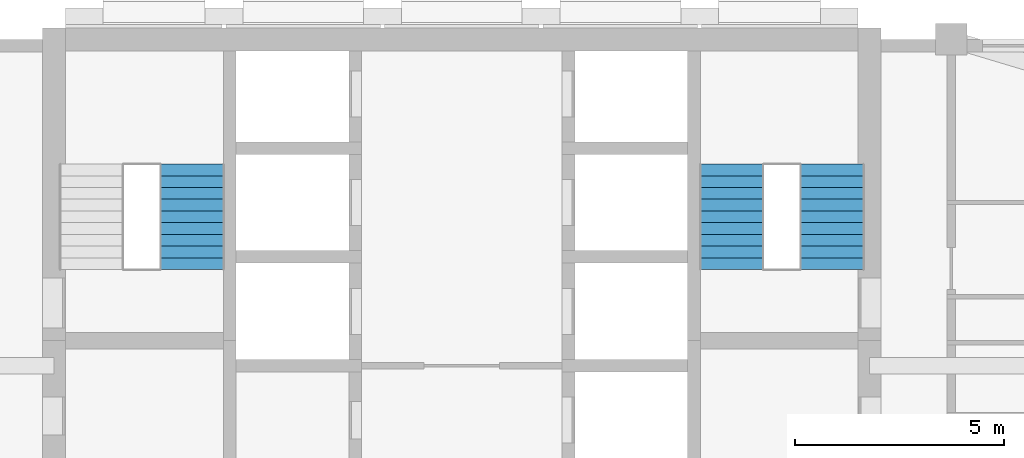
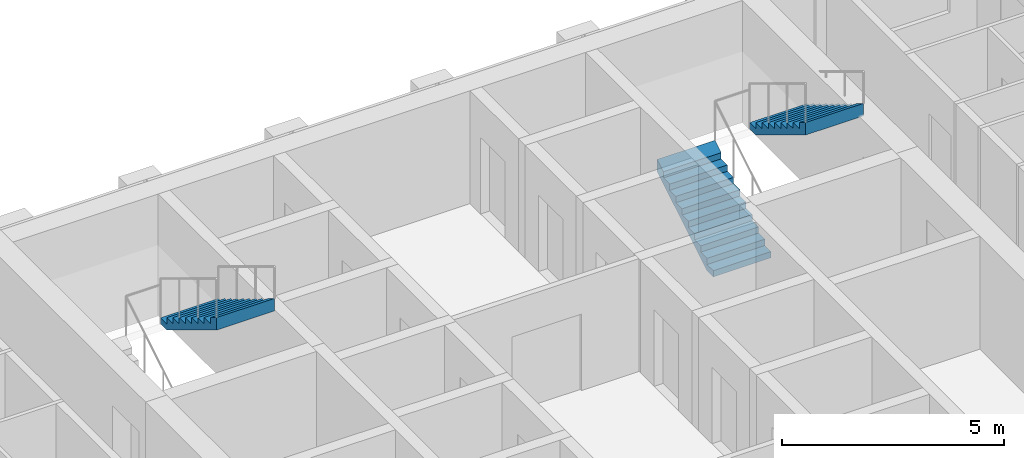
# One storey, part 11 of 13: 3 stair flights, 2 elements without a shape of their own.
"""IFC4 building model written with IfcOpenShell, lengths in metres."""

from ifc_helpers import new_model, si_unit, direction, frame, origin, place, context, subcontext, project, spatial, triangles, material, type_object, element, aggregate, save


model = new_model("IFC4")

# Units and contexts
model_context = context("Model", 3, precision=1e-05, world=origin(), true_north=direction((0.0, 1.0)))
body_context = subcontext(model_context, "Body", "Model", "MODEL_VIEW")
ifc_project = project(units=[si_unit("LENGTHUNIT", "METRE"), si_unit("AREAUNIT", "SQUARE_METRE"), si_unit("VOLUMEUNIT", "CUBIC_METRE"), si_unit("PLANEANGLEUNIT", "RADIAN"), si_unit("MASSUNIT", "GRAM", prefix="KILO")], contexts=[model_context])

# Site, building, storey
site_placement = place(None, origin())
site = spatial("IfcSite", under=ifc_project, at=site_placement, CompositionType="ELEMENT")
building_placement = place(site_placement, origin())
building = spatial("IfcBuilding", under=site, at=building_placement, Name="Ludao Terraces", CompositionType="ELEMENT")
storey_placement = place(building_placement, frame((0.0, 0.0, 189.39990234375)))
storey = spatial("IfcBuildingStorey", under=building, at=storey_placement, Name="L51", CompositionType="ELEMENT", Elevation=189.39990234375)

# Stair, stair flight
ifc_material = material(Name="Concrete C40", Category="concrete")
stair_type = type_object("IfcStairType", Name="INT Stair", PredefinedType="HALF_TURN_STAIR", material=ifc_material)
stair_1_placement = place(storey_placement, origin())
stair_1 = element("IfcStair", 1, at=stair_1_placement, inside=storey, type_object=stair_type, Name="EXIT STAIR 1", PredefinedType="HALF_TURN_STAIR")
stair_flight_type = type_object("IfcStairFlightType", Name="INT Stair flight", PredefinedType="STRAIGHT", material=ifc_material)
stair_flight_1_placement = place(storey_placement, frame((78.550048828125, 81.52001953125, 1.7001953125), z_axis=(0.0, 0.0, 1.0), x_axis=(0.0, -1.0, 0.0)))
stair_flight_1 = element("IfcStairFlight", 2, at=stair_flight_1_placement, type_object=stair_flight_type, Name="ST1 flight 2", NumberOfRisers=10, NumberOfTreads=9, PredefinedType="STRAIGHT", RiserHeight=0.17, TreadLength=0.28, context=body_context, shape_type="Tessellation", body=[
    triangles([(0.0, -0.75, 0.0), (0.0, -0.5, 0.0), (0.0, -0.25, 0.0), (0.0, 0.0, 0.0), (0.0, 0.25, 0.0), (0.0, 0.5, 0.0), (0.0, 0.75, 0.0), (0.0, -0.75, 0.169921875), (0.0, -0.5, 0.169921875), (0.0, -0.25, 0.169921875), (0.0, 0.0, 0.169921875), (0.0, 0.25, 0.169921875), (0.0, 0.5, 0.169921875), (0.0, 0.75, 0.169921875), (0.280029296875, -0.75, 0.169921875), (0.280029296875, -0.5, 0.169921875), (0.280029296875, -0.25, 0.169921875), (0.280029296875, 0.0, 0.169921875), (0.280029296875, 0.25, 0.169921875), (0.280029296875, 0.5, 0.169921875), (0.280029296875, 0.75, 0.169921875), (0.280029296875, -0.75, 0.340087890625), (0.280029296875, -0.5, 0.340087890625), (0.280029296875, -0.25, 0.340087890625), (0.280029296875, 0.0, 0.340087890625), (0.280029296875, 0.25, 0.340087890625), (0.280029296875, 0.5, 0.340087890625), (0.280029296875, 0.75, 0.340087890625), (0.56005859375, -0.75, 0.340087890625), (0.56005859375, -0.5, 0.340087890625), (0.56005859375, -0.25, 0.340087890625), (0.56005859375, 0.0, 0.340087890625), (0.56005859375, 0.25, 0.340087890625), (0.56005859375, 0.5, 0.340087890625), (0.56005859375, 0.75, 0.340087890625), (0.56005859375, -0.75, 0.510009765625), (0.56005859375, -0.5, 0.510009765625), (0.56005859375, -0.25, 0.510009765625), (0.56005859375, 0.0, 0.510009765625), (0.56005859375, 0.25, 0.510009765625), (0.56005859375, 0.5, 0.510009765625), (0.56005859375, 0.75, 0.510009765625), (0.840087890625, -0.75, 0.510009765625), (0.840087890625, -0.5, 0.510009765625), (0.840087890625, -0.25, 0.510009765625), (0.840087890625, 0.0, 0.510009765625), (0.840087890625, 0.25, 0.510009765625), (0.840087890625, 0.5, 0.510009765625), (0.840087890625, 0.75, 0.510009765625), (0.840087890625, -0.75, 0.679931640625), (0.840087890625, -0.5, 0.679931640625), (0.840087890625, -0.25, 0.679931640625), (0.840087890625, 0.0, 0.679931640625), (0.840087890625, 0.25, 0.679931640625), (0.840087890625, 0.5, 0.679931640625), (0.840087890625, 0.75, 0.679931640625), (1.1201171875, -0.75, 0.679931640625), (1.1201171875, -0.5, 0.679931640625), (1.1201171875, -0.25, 0.679931640625), (1.1201171875, 0.0, 0.679931640625), (1.1201171875, 0.25, 0.679931640625), (1.1201171875, 0.5, 0.679931640625), (1.1201171875, 0.75, 0.679931640625), (1.1201171875, -0.75, 0.85009765625), (1.1201171875, -0.5, 0.85009765625), (1.1201171875, -0.25, 0.85009765625), (1.1201171875, 0.0, 0.85009765625), (1.1201171875, 0.25, 0.85009765625), (1.1201171875, 0.5, 0.85009765625), (1.1201171875, 0.75, 0.85009765625), (1.39990234375, -0.75, 0.85009765625), (1.39990234375, -0.5, 0.85009765625), (1.39990234375, -0.25, 0.85009765625), (1.39990234375, 0.0, 0.85009765625), (1.39990234375, 0.25, 0.85009765625), (1.39990234375, 0.5, 0.85009765625), (1.39990234375, 0.75, 0.85009765625), (1.39990234375, -0.75, 1.02001953125), (1.39990234375, -0.5, 1.02001953125), (1.39990234375, -0.25, 1.02001953125), (1.39990234375, 0.0, 1.02001953125), (1.39990234375, 0.25, 1.02001953125), (1.39990234375, 0.5, 1.02001953125), (1.39990234375, 0.75, 1.02001953125), (1.679931640625, -0.75, 1.02001953125), (1.679931640625, -0.5, 1.02001953125), (1.679931640625, -0.25, 1.02001953125), (1.679931640625, 0.0, 1.02001953125), (1.679931640625, 0.25, 1.02001953125), (1.679931640625, 0.5, 1.02001953125), (1.679931640625, 0.75, 1.02001953125), (1.679931640625, -0.75, 1.18994140625), (1.679931640625, -0.5, 1.18994140625), (1.679931640625, -0.25, 1.18994140625), (1.679931640625, 0.0, 1.18994140625), (1.679931640625, 0.25, 1.18994140625), (1.679931640625, 0.5, 1.18994140625), (1.679931640625, 0.75, 1.18994140625), (1.9599609375, -0.75, 1.18994140625), (1.9599609375, -0.5, 1.18994140625), (1.9599609375, -0.25, 1.18994140625), (1.9599609375, 0.0, 1.18994140625), (1.9599609375, 0.25, 1.18994140625), (1.9599609375, 0.5, 1.18994140625), (1.9599609375, 0.75, 1.18994140625), (1.9599609375, -0.75, 1.360107421875), (1.9599609375, -0.5, 1.360107421875), (1.9599609375, -0.25, 1.360107421875), (1.9599609375, 0.0, 1.360107421875), (1.9599609375, 0.25, 1.360107421875), (1.9599609375, 0.5, 1.360107421875), (1.9599609375, 0.75, 1.360107421875), (2.239990234375, -0.75, 1.360107421875), (2.239990234375, -0.5, 1.360107421875), (2.239990234375, -0.25, 1.360107421875), (2.239990234375, 0.0, 1.360107421875), (2.239990234375, 0.25, 1.360107421875), (2.239990234375, 0.5, 1.360107421875), (2.239990234375, 0.75, 1.360107421875), (2.239990234375, -0.75, 1.530029296875), (2.239990234375, -0.5, 1.530029296875), (2.239990234375, -0.25, 1.530029296875), (2.239990234375, 0.0, 1.530029296875), (2.239990234375, 0.25, 1.530029296875), (2.239990234375, 0.5, 1.530029296875), (2.239990234375, 0.75, 1.530029296875), (2.52001953125, -0.75, 1.699951171875), (2.52001953125, -0.5, 1.699951171875), (2.52001953125, -0.25, 1.699951171875), (2.52001953125, 0.0, 1.699951171875), (2.52001953125, 0.25, 1.699951171875), (2.52001953125, 0.5, 1.699951171875), (2.52001953125, 0.75, 1.699951171875), (2.52001953125, -0.75, 1.354736328125), (2.52001953125, -0.5, 1.354736328125), (2.52001953125, -0.25, 1.354736328125), (2.52001953125, 0.0, 1.354736328125), (2.52001953125, 0.25, 1.354736328125), (2.52001953125, 0.5, 1.354736328125), (2.52001953125, 0.75, 1.354736328125), (0.288818359375, -0.75, 0.0), (0.288818359375, -0.5, 0.0), (0.288818359375, -0.25, 0.0), (0.288818359375, 0.0, 0.0), (0.288818359375, 0.25, 0.0), (0.288818359375, 0.5, 0.0), (0.288818359375, 0.75, 0.0)], [[1, 141, 134], [7, 140, 147], [134, 127, 120], [140, 126, 133], [134, 120, 113], [140, 119, 126], [134, 113, 106], [140, 112, 119], [134, 106, 99], [140, 105, 112], [99, 92, 85], [105, 91, 98], [134, 99, 85], [140, 91, 105], [85, 78, 71], [91, 77, 84], [134, 85, 71], [140, 77, 91], [71, 64, 57], [77, 63, 70], [134, 71, 57], [140, 63, 77], [57, 50, 43], [63, 49, 56], [134, 57, 43], [140, 49, 63], [43, 36, 29], [49, 35, 42], [134, 43, 29], [140, 35, 49], [29, 22, 15], [35, 21, 28], [134, 29, 15], [140, 21, 35], [1, 134, 15], [7, 21, 140], [15, 8, 1], [21, 7, 14], [1, 9, 2], [1, 8, 9], [2, 10, 3], [2, 9, 10], [3, 11, 4], [3, 10, 11], [4, 12, 5], [4, 11, 12], [5, 13, 6], [5, 12, 13], [6, 14, 7], [6, 13, 14], [8, 16, 9], [8, 15, 16], [9, 17, 10], [9, 16, 17], [10, 18, 11], [10, 17, 18], [11, 19, 12], [11, 18, 19], [12, 20, 13], [12, 19, 20], [13, 21, 14], [13, 20, 21], [15, 23, 16], [15, 22, 23], [16, 24, 17], [16, 23, 24], [17, 25, 18], [17, 24, 25], [18, 26, 19], [18, 25, 26], [19, 27, 20], [19, 26, 27], [20, 28, 21], [20, 27, 28], [22, 30, 23], [22, 29, 30], [23, 31, 24], [23, 30, 31], [24, 32, 25], [24, 31, 32], [25, 33, 26], [25, 32, 33], [26, 34, 27], [26, 33, 34], [27, 35, 28], [27, 34, 35], [29, 37, 30], [29, 36, 37], [30, 38, 31], [30, 37, 38], [31, 39, 32], [31, 38, 39], [32, 40, 33], [32, 39, 40], [33, 41, 34], [33, 40, 41], [34, 42, 35], [34, 41, 42], [36, 44, 37], [36, 43, 44], [37, 45, 38], [37, 44, 45], [38, 46, 39], [38, 45, 46], [39, 47, 40], [39, 46, 47], [40, 48, 41], [40, 47, 48], [41, 49, 42], [41, 48, 49], [43, 51, 44], [43, 50, 51], [44, 52, 45], [44, 51, 52], [45, 53, 46], [45, 52, 53], [46, 54, 47], [46, 53, 54], [47, 55, 48], [47, 54, 55], [48, 56, 49], [48, 55, 56], [50, 58, 51], [50, 57, 58], [51, 59, 52], [51, 58, 59], [52, 60, 53], [52, 59, 60], [53, 61, 54], [53, 60, 61], [54, 62, 55], [54, 61, 62], [55, 63, 56], [55, 62, 63], [57, 65, 58], [57, 64, 65], [58, 66, 59], [58, 65, 66], [59, 67, 60], [59, 66, 67], [60, 68, 61], [60, 67, 68], [61, 69, 62], [61, 68, 69], [62, 70, 63], [62, 69, 70], [64, 72, 65], [64, 71, 72], [65, 73, 66], [65, 72, 73], [66, 74, 67], [66, 73, 74], [67, 75, 68], [67, 74, 75], [68, 76, 69], [68, 75, 76], [69, 77, 70], [69, 76, 77], [71, 79, 72], [71, 78, 79], [72, 80, 73], [72, 79, 80], [73, 81, 74], [73, 80, 81], [74, 82, 75], [74, 81, 82], [75, 83, 76], [75, 82, 83], [76, 84, 77], [76, 83, 84], [78, 86, 79], [78, 85, 86], [79, 87, 80], [79, 86, 87], [80, 88, 81], [80, 87, 88], [81, 89, 82], [81, 88, 89], [82, 90, 83], [82, 89, 90], [83, 91, 84], [83, 90, 91], [85, 93, 86], [85, 92, 93], [86, 94, 87], [86, 93, 94], [87, 95, 88], [87, 94, 95], [88, 96, 89], [88, 95, 96], [89, 97, 90], [89, 96, 97], [90, 98, 91], [90, 97, 98], [92, 100, 93], [92, 99, 100], [93, 101, 94], [93, 100, 101], [94, 102, 95], [94, 101, 102], [95, 103, 96], [95, 102, 103], [96, 104, 97], [96, 103, 104], [97, 105, 98], [97, 104, 105], [99, 107, 100], [99, 106, 107], [100, 108, 101], [100, 107, 108], [101, 109, 102], [101, 108, 109], [102, 110, 103], [102, 109, 110], [103, 111, 104], [103, 110, 111], [104, 112, 105], [104, 111, 112], [106, 114, 107], [106, 113, 114], [107, 115, 108], [107, 114, 115], [108, 116, 109], [108, 115, 116], [109, 117, 110], [109, 116, 117], [110, 118, 111], [110, 117, 118], [111, 119, 112], [111, 118, 119], [113, 121, 114], [113, 120, 121], [114, 122, 115], [114, 121, 122], [115, 123, 116], [115, 122, 123], [116, 124, 117], [116, 123, 124], [117, 125, 118], [117, 124, 125], [118, 126, 119], [118, 125, 126], [120, 128, 121], [120, 127, 128], [121, 129, 122], [121, 128, 129], [122, 130, 123], [122, 129, 130], [123, 131, 124], [123, 130, 131], [124, 132, 125], [124, 131, 132], [125, 133, 126], [125, 132, 133], [127, 135, 128], [127, 134, 135], [128, 136, 129], [128, 135, 136], [129, 137, 130], [129, 136, 137], [130, 138, 131], [130, 137, 138], [131, 139, 132], [131, 138, 139], [132, 140, 133], [132, 139, 140], [134, 142, 135], [134, 141, 142], [135, 143, 136], [135, 142, 143], [136, 144, 137], [136, 143, 144], [137, 145, 138], [137, 144, 145], [138, 146, 139], [138, 145, 146], [139, 147, 140], [139, 146, 147], [141, 2, 142], [141, 1, 2], [142, 3, 143], [142, 2, 3], [143, 4, 144], [143, 3, 4], [144, 5, 145], [144, 4, 5], [145, 6, 146], [145, 5, 6], [146, 7, 147], [146, 6, 7]], closed=True),
])
aggregate(stair_1, [stair_flight_1])

# Stair, stair flights
stair_2_placement = place(storey_placement, origin())
stair_2 = element("IfcStair", 3, at=stair_2_placement, inside=storey, type_object=stair_type, Name="EXIT STAIR 2", PredefinedType="HALF_TURN_STAIR")
stair_flight_2_placement = place(storey_placement, frame((91.449951171875, 79.0, 0.0), z_axis=(0.0, 0.0, 1.0), x_axis=(0.0, 1.0, 0.0)))
stair_flight_2 = element("IfcStairFlight", 4, at=stair_flight_2_placement, type_object=stair_flight_type, Name="ST2 flight 1", NumberOfRisers=10, NumberOfTreads=9, PredefinedType="STRAIGHT", RiserHeight=0.17, TreadLength=0.28, context=body_context, shape_type="Tessellation", body=[
    triangles([(0.0, -0.75, 0.0), (0.0, -0.5, 0.0), (0.0, -0.25, 0.0), (0.0, 0.0, 0.0), (0.0, 0.25, 0.0), (0.0, 0.5, 0.0), (0.0, 0.75, 0.0), (0.0, -0.75, 0.169921875), (0.0, -0.5, 0.169921875), (0.0, -0.25, 0.169921875), (0.0, 0.0, 0.169921875), (0.0, 0.25, 0.169921875), (0.0, 0.5, 0.169921875), (0.0, 0.75, 0.169921875), (0.280029296875, -0.75, 0.169921875), (0.280029296875, -0.5, 0.169921875), (0.280029296875, -0.25, 0.169921875), (0.280029296875, 0.0, 0.169921875), (0.280029296875, 0.25, 0.169921875), (0.280029296875, 0.5, 0.169921875), (0.280029296875, 0.75, 0.169921875), (0.280029296875, -0.75, 0.340087890625), (0.280029296875, -0.5, 0.340087890625), (0.280029296875, -0.25, 0.340087890625), (0.280029296875, 0.0, 0.340087890625), (0.280029296875, 0.25, 0.340087890625), (0.280029296875, 0.5, 0.340087890625), (0.280029296875, 0.75, 0.340087890625), (0.56005859375, -0.75, 0.340087890625), (0.56005859375, -0.5, 0.340087890625), (0.56005859375, -0.25, 0.340087890625), (0.56005859375, 0.0, 0.340087890625), (0.56005859375, 0.25, 0.340087890625), (0.56005859375, 0.5, 0.340087890625), (0.56005859375, 0.75, 0.340087890625), (0.56005859375, -0.75, 0.510009765625), (0.56005859375, -0.5, 0.510009765625), (0.56005859375, -0.25, 0.510009765625), (0.56005859375, 0.0, 0.510009765625), (0.56005859375, 0.25, 0.510009765625), (0.56005859375, 0.5, 0.510009765625), (0.56005859375, 0.75, 0.510009765625), (0.840087890625, -0.75, 0.510009765625), (0.840087890625, -0.5, 0.510009765625), (0.840087890625, -0.25, 0.510009765625), (0.840087890625, 0.0, 0.510009765625), (0.840087890625, 0.25, 0.510009765625), (0.840087890625, 0.5, 0.510009765625), (0.840087890625, 0.75, 0.510009765625), (0.840087890625, -0.75, 0.679931640625), (0.840087890625, -0.5, 0.679931640625), (0.840087890625, -0.25, 0.679931640625), (0.840087890625, 0.0, 0.679931640625), (0.840087890625, 0.25, 0.679931640625), (0.840087890625, 0.5, 0.679931640625), (0.840087890625, 0.75, 0.679931640625), (1.1201171875, -0.75, 0.679931640625), (1.1201171875, -0.5, 0.679931640625), (1.1201171875, -0.25, 0.679931640625), (1.1201171875, 0.0, 0.679931640625), (1.1201171875, 0.25, 0.679931640625), (1.1201171875, 0.5, 0.679931640625), (1.1201171875, 0.75, 0.679931640625), (1.1201171875, -0.75, 0.85009765625), (1.1201171875, -0.5, 0.85009765625), (1.1201171875, -0.25, 0.85009765625), (1.1201171875, 0.0, 0.85009765625), (1.1201171875, 0.25, 0.85009765625), (1.1201171875, 0.5, 0.85009765625), (1.1201171875, 0.75, 0.85009765625), (1.39990234375, -0.75, 0.85009765625), (1.39990234375, -0.5, 0.85009765625), (1.39990234375, -0.25, 0.85009765625), (1.39990234375, 0.0, 0.85009765625), (1.39990234375, 0.25, 0.85009765625), (1.39990234375, 0.5, 0.85009765625), (1.39990234375, 0.75, 0.85009765625), (1.39990234375, -0.75, 1.02001953125), (1.39990234375, -0.5, 1.02001953125), (1.39990234375, -0.25, 1.02001953125), (1.39990234375, 0.0, 1.02001953125), (1.39990234375, 0.25, 1.02001953125), (1.39990234375, 0.5, 1.02001953125), (1.39990234375, 0.75, 1.02001953125), (1.679931640625, -0.75, 1.02001953125), (1.679931640625, -0.5, 1.02001953125), (1.679931640625, -0.25, 1.02001953125), (1.679931640625, 0.0, 1.02001953125), (1.679931640625, 0.25, 1.02001953125), (1.679931640625, 0.5, 1.02001953125), (1.679931640625, 0.75, 1.02001953125), (1.679931640625, -0.75, 1.18994140625), (1.679931640625, -0.5, 1.18994140625), (1.679931640625, -0.25, 1.18994140625), (1.679931640625, 0.0, 1.18994140625), (1.679931640625, 0.25, 1.18994140625), (1.679931640625, 0.5, 1.18994140625), (1.679931640625, 0.75, 1.18994140625), (1.9599609375, -0.75, 1.18994140625), (1.9599609375, -0.5, 1.18994140625), (1.9599609375, -0.25, 1.18994140625), (1.9599609375, 0.0, 1.18994140625), (1.9599609375, 0.25, 1.18994140625), (1.9599609375, 0.5, 1.18994140625), (1.9599609375, 0.75, 1.18994140625), (1.9599609375, -0.75, 1.360107421875), (1.9599609375, -0.5, 1.360107421875), (1.9599609375, -0.25, 1.360107421875), (1.9599609375, 0.0, 1.360107421875), (1.9599609375, 0.25, 1.360107421875), (1.9599609375, 0.5, 1.360107421875), (1.9599609375, 0.75, 1.360107421875), (2.239990234375, -0.75, 1.360107421875), (2.239990234375, -0.5, 1.360107421875), (2.239990234375, -0.25, 1.360107421875), (2.239990234375, 0.0, 1.360107421875), (2.239990234375, 0.25, 1.360107421875), (2.239990234375, 0.5, 1.360107421875), (2.239990234375, 0.75, 1.360107421875), (2.239990234375, -0.75, 1.530029296875), (2.239990234375, -0.5, 1.530029296875), (2.239990234375, -0.25, 1.530029296875), (2.239990234375, 0.0, 1.530029296875), (2.239990234375, 0.25, 1.530029296875), (2.239990234375, 0.5, 1.530029296875), (2.239990234375, 0.75, 1.530029296875), (2.52001953125, -0.75, 1.699951171875), (2.52001953125, -0.5, 1.699951171875), (2.52001953125, -0.25, 1.699951171875), (2.52001953125, 0.0, 1.699951171875), (2.52001953125, 0.25, 1.699951171875), (2.52001953125, 0.5, 1.699951171875), (2.52001953125, 0.75, 1.699951171875), (2.52001953125, -0.75, 1.354736328125), (2.52001953125, -0.5, 1.354736328125), (2.52001953125, -0.25, 1.354736328125), (2.52001953125, 0.0, 1.354736328125), (2.52001953125, 0.25, 1.354736328125), (2.52001953125, 0.5, 1.354736328125), (2.52001953125, 0.75, 1.354736328125), (0.288818359375, -0.75, 0.0), (0.288818359375, -0.5, 0.0), (0.288818359375, -0.25, 0.0), (0.288818359375, 0.0, 0.0), (0.288818359375, 0.25, 0.0), (0.288818359375, 0.5, 0.0), (0.288818359375, 0.75, 0.0)], [[1, 141, 134], [7, 140, 147], [134, 127, 120], [140, 126, 133], [134, 120, 113], [140, 119, 126], [134, 113, 106], [140, 112, 119], [134, 106, 99], [140, 105, 112], [99, 92, 85], [105, 91, 98], [134, 99, 85], [140, 91, 105], [85, 78, 71], [91, 77, 84], [134, 85, 71], [140, 77, 91], [71, 64, 57], [77, 63, 70], [134, 71, 57], [140, 63, 77], [57, 50, 43], [63, 49, 56], [134, 57, 43], [140, 49, 63], [43, 36, 29], [49, 35, 42], [134, 43, 29], [140, 35, 49], [29, 22, 15], [35, 21, 28], [134, 29, 15], [140, 21, 35], [1, 134, 15], [7, 21, 140], [15, 8, 1], [21, 7, 14], [1, 9, 2], [1, 8, 9], [2, 10, 3], [2, 9, 10], [3, 11, 4], [3, 10, 11], [4, 12, 5], [4, 11, 12], [5, 13, 6], [5, 12, 13], [6, 14, 7], [6, 13, 14], [8, 16, 9], [8, 15, 16], [9, 17, 10], [9, 16, 17], [10, 18, 11], [10, 17, 18], [11, 19, 12], [11, 18, 19], [12, 20, 13], [12, 19, 20], [13, 21, 14], [13, 20, 21], [15, 23, 16], [15, 22, 23], [16, 24, 17], [16, 23, 24], [17, 25, 18], [17, 24, 25], [18, 26, 19], [18, 25, 26], [19, 27, 20], [19, 26, 27], [20, 28, 21], [20, 27, 28], [22, 30, 23], [22, 29, 30], [23, 31, 24], [23, 30, 31], [24, 32, 25], [24, 31, 32], [25, 33, 26], [25, 32, 33], [26, 34, 27], [26, 33, 34], [27, 35, 28], [27, 34, 35], [29, 37, 30], [29, 36, 37], [30, 38, 31], [30, 37, 38], [31, 39, 32], [31, 38, 39], [32, 40, 33], [32, 39, 40], [33, 41, 34], [33, 40, 41], [34, 42, 35], [34, 41, 42], [36, 44, 37], [36, 43, 44], [37, 45, 38], [37, 44, 45], [38, 46, 39], [38, 45, 46], [39, 47, 40], [39, 46, 47], [40, 48, 41], [40, 47, 48], [41, 49, 42], [41, 48, 49], [43, 51, 44], [43, 50, 51], [44, 52, 45], [44, 51, 52], [45, 53, 46], [45, 52, 53], [46, 54, 47], [46, 53, 54], [47, 55, 48], [47, 54, 55], [48, 56, 49], [48, 55, 56], [50, 58, 51], [50, 57, 58], [51, 59, 52], [51, 58, 59], [52, 60, 53], [52, 59, 60], [53, 61, 54], [53, 60, 61], [54, 62, 55], [54, 61, 62], [55, 63, 56], [55, 62, 63], [57, 65, 58], [57, 64, 65], [58, 66, 59], [58, 65, 66], [59, 67, 60], [59, 66, 67], [60, 68, 61], [60, 67, 68], [61, 69, 62], [61, 68, 69], [62, 70, 63], [62, 69, 70], [64, 72, 65], [64, 71, 72], [65, 73, 66], [65, 72, 73], [66, 74, 67], [66, 73, 74], [67, 75, 68], [67, 74, 75], [68, 76, 69], [68, 75, 76], [69, 77, 70], [69, 76, 77], [71, 79, 72], [71, 78, 79], [72, 80, 73], [72, 79, 80], [73, 81, 74], [73, 80, 81], [74, 82, 75], [74, 81, 82], [75, 83, 76], [75, 82, 83], [76, 84, 77], [76, 83, 84], [78, 86, 79], [78, 85, 86], [79, 87, 80], [79, 86, 87], [80, 88, 81], [80, 87, 88], [81, 89, 82], [81, 88, 89], [82, 90, 83], [82, 89, 90], [83, 91, 84], [83, 90, 91], [85, 93, 86], [85, 92, 93], [86, 94, 87], [86, 93, 94], [87, 95, 88], [87, 94, 95], [88, 96, 89], [88, 95, 96], [89, 97, 90], [89, 96, 97], [90, 98, 91], [90, 97, 98], [92, 100, 93], [92, 99, 100], [93, 101, 94], [93, 100, 101], [94, 102, 95], [94, 101, 102], [95, 103, 96], [95, 102, 103], [96, 104, 97], [96, 103, 104], [97, 105, 98], [97, 104, 105], [99, 107, 100], [99, 106, 107], [100, 108, 101], [100, 107, 108], [101, 109, 102], [101, 108, 109], [102, 110, 103], [102, 109, 110], [103, 111, 104], [103, 110, 111], [104, 112, 105], [104, 111, 112], [106, 114, 107], [106, 113, 114], [107, 115, 108], [107, 114, 115], [108, 116, 109], [108, 115, 116], [109, 117, 110], [109, 116, 117], [110, 118, 111], [110, 117, 118], [111, 119, 112], [111, 118, 119], [113, 121, 114], [113, 120, 121], [114, 122, 115], [114, 121, 122], [115, 123, 116], [115, 122, 123], [116, 124, 117], [116, 123, 124], [117, 125, 118], [117, 124, 125], [118, 126, 119], [118, 125, 126], [120, 128, 121], [120, 127, 128], [121, 129, 122], [121, 128, 129], [122, 130, 123], [122, 129, 130], [123, 131, 124], [123, 130, 131], [124, 132, 125], [124, 131, 132], [125, 133, 126], [125, 132, 133], [127, 135, 128], [127, 134, 135], [128, 136, 129], [128, 135, 136], [129, 137, 130], [129, 136, 137], [130, 138, 131], [130, 137, 138], [131, 139, 132], [131, 138, 139], [132, 140, 133], [132, 139, 140], [134, 142, 135], [134, 141, 142], [135, 143, 136], [135, 142, 143], [136, 144, 137], [136, 143, 144], [137, 145, 138], [137, 144, 145], [138, 146, 139], [138, 145, 146], [139, 147, 140], [139, 146, 147], [141, 2, 142], [141, 1, 2], [142, 3, 143], [142, 2, 3], [143, 4, 144], [143, 3, 4], [144, 5, 145], [144, 4, 5], [145, 6, 146], [145, 5, 6], [146, 7, 147], [146, 6, 7]], closed=True),
])
stair_flight_3_placement = place(storey_placement, frame((93.85009765625, 81.52001953125, 1.7001953125), z_axis=(0.0, 0.0, 1.0), x_axis=(0.0, -1.0, 0.0)))
stair_flight_3 = element("IfcStairFlight", 5, at=stair_flight_3_placement, type_object=stair_flight_type, Name="ST2 flight 2", NumberOfRisers=10, NumberOfTreads=9, PredefinedType="STRAIGHT", RiserHeight=0.17, TreadLength=0.28, context=body_context, shape_type="Tessellation", body=[
    triangles([(0.0, -0.75, 0.0), (0.0, -0.5, 0.0), (0.0, -0.25, 0.0), (0.0, 0.0, 0.0), (0.0, 0.25, 0.0), (0.0, 0.5, 0.0), (0.0, 0.75, 0.0), (0.0, -0.75, 0.169921875), (0.0, -0.5, 0.169921875), (0.0, -0.25, 0.169921875), (0.0, 0.0, 0.169921875), (0.0, 0.25, 0.169921875), (0.0, 0.5, 0.169921875), (0.0, 0.75, 0.169921875), (0.280029296875, -0.75, 0.169921875), (0.280029296875, -0.5, 0.169921875), (0.280029296875, -0.25, 0.169921875), (0.280029296875, 0.0, 0.169921875), (0.280029296875, 0.25, 0.169921875), (0.280029296875, 0.5, 0.169921875), (0.280029296875, 0.75, 0.169921875), (0.280029296875, -0.75, 0.340087890625), (0.280029296875, -0.5, 0.340087890625), (0.280029296875, -0.25, 0.340087890625), (0.280029296875, 0.0, 0.340087890625), (0.280029296875, 0.25, 0.340087890625), (0.280029296875, 0.5, 0.340087890625), (0.280029296875, 0.75, 0.340087890625), (0.56005859375, -0.75, 0.340087890625), (0.56005859375, -0.5, 0.340087890625), (0.56005859375, -0.25, 0.340087890625), (0.56005859375, 0.0, 0.340087890625), (0.56005859375, 0.25, 0.340087890625), (0.56005859375, 0.5, 0.340087890625), (0.56005859375, 0.75, 0.340087890625), (0.56005859375, -0.75, 0.510009765625), (0.56005859375, -0.5, 0.510009765625), (0.56005859375, -0.25, 0.510009765625), (0.56005859375, 0.0, 0.510009765625), (0.56005859375, 0.25, 0.510009765625), (0.56005859375, 0.5, 0.510009765625), (0.56005859375, 0.75, 0.510009765625), (0.840087890625, -0.75, 0.510009765625), (0.840087890625, -0.5, 0.510009765625), (0.840087890625, -0.25, 0.510009765625), (0.840087890625, 0.0, 0.510009765625), (0.840087890625, 0.25, 0.510009765625), (0.840087890625, 0.5, 0.510009765625), (0.840087890625, 0.75, 0.510009765625), (0.840087890625, -0.75, 0.679931640625), (0.840087890625, -0.5, 0.679931640625), (0.840087890625, -0.25, 0.679931640625), (0.840087890625, 0.0, 0.679931640625), (0.840087890625, 0.25, 0.679931640625), (0.840087890625, 0.5, 0.679931640625), (0.840087890625, 0.75, 0.679931640625), (1.1201171875, -0.75, 0.679931640625), (1.1201171875, -0.5, 0.679931640625), (1.1201171875, -0.25, 0.679931640625), (1.1201171875, 0.0, 0.679931640625), (1.1201171875, 0.25, 0.679931640625), (1.1201171875, 0.5, 0.679931640625), (1.1201171875, 0.75, 0.679931640625), (1.1201171875, -0.75, 0.85009765625), (1.1201171875, -0.5, 0.85009765625), (1.1201171875, -0.25, 0.85009765625), (1.1201171875, 0.0, 0.85009765625), (1.1201171875, 0.25, 0.85009765625), (1.1201171875, 0.5, 0.85009765625), (1.1201171875, 0.75, 0.85009765625), (1.39990234375, -0.75, 0.85009765625), (1.39990234375, -0.5, 0.85009765625), (1.39990234375, -0.25, 0.85009765625), (1.39990234375, 0.0, 0.85009765625), (1.39990234375, 0.25, 0.85009765625), (1.39990234375, 0.5, 0.85009765625), (1.39990234375, 0.75, 0.85009765625), (1.39990234375, -0.75, 1.02001953125), (1.39990234375, -0.5, 1.02001953125), (1.39990234375, -0.25, 1.02001953125), (1.39990234375, 0.0, 1.02001953125), (1.39990234375, 0.25, 1.02001953125), (1.39990234375, 0.5, 1.02001953125), (1.39990234375, 0.75, 1.02001953125), (1.679931640625, -0.75, 1.02001953125), (1.679931640625, -0.5, 1.02001953125), (1.679931640625, -0.25, 1.02001953125), (1.679931640625, 0.0, 1.02001953125), (1.679931640625, 0.25, 1.02001953125), (1.679931640625, 0.5, 1.02001953125), (1.679931640625, 0.75, 1.02001953125), (1.679931640625, -0.75, 1.18994140625), (1.679931640625, -0.5, 1.18994140625), (1.679931640625, -0.25, 1.18994140625), (1.679931640625, 0.0, 1.18994140625), (1.679931640625, 0.25, 1.18994140625), (1.679931640625, 0.5, 1.18994140625), (1.679931640625, 0.75, 1.18994140625), (1.9599609375, -0.75, 1.18994140625), (1.9599609375, -0.5, 1.18994140625), (1.9599609375, -0.25, 1.18994140625), (1.9599609375, 0.0, 1.18994140625), (1.9599609375, 0.25, 1.18994140625), (1.9599609375, 0.5, 1.18994140625), (1.9599609375, 0.75, 1.18994140625), (1.9599609375, -0.75, 1.360107421875), (1.9599609375, -0.5, 1.360107421875), (1.9599609375, -0.25, 1.360107421875), (1.9599609375, 0.0, 1.360107421875), (1.9599609375, 0.25, 1.360107421875), (1.9599609375, 0.5, 1.360107421875), (1.9599609375, 0.75, 1.360107421875), (2.239990234375, -0.75, 1.360107421875), (2.239990234375, -0.5, 1.360107421875), (2.239990234375, -0.25, 1.360107421875), (2.239990234375, 0.0, 1.360107421875), (2.239990234375, 0.25, 1.360107421875), (2.239990234375, 0.5, 1.360107421875), (2.239990234375, 0.75, 1.360107421875), (2.239990234375, -0.75, 1.530029296875), (2.239990234375, -0.5, 1.530029296875), (2.239990234375, -0.25, 1.530029296875), (2.239990234375, 0.0, 1.530029296875), (2.239990234375, 0.25, 1.530029296875), (2.239990234375, 0.5, 1.530029296875), (2.239990234375, 0.75, 1.530029296875), (2.52001953125, -0.75, 1.699951171875), (2.52001953125, -0.5, 1.699951171875), (2.52001953125, -0.25, 1.699951171875), (2.52001953125, 0.0, 1.699951171875), (2.52001953125, 0.25, 1.699951171875), (2.52001953125, 0.5, 1.699951171875), (2.52001953125, 0.75, 1.699951171875), (2.52001953125, -0.75, 1.354736328125), (2.52001953125, -0.5, 1.354736328125), (2.52001953125, -0.25, 1.354736328125), (2.52001953125, 0.0, 1.354736328125), (2.52001953125, 0.25, 1.354736328125), (2.52001953125, 0.5, 1.354736328125), (2.52001953125, 0.75, 1.354736328125), (0.288818359375, -0.75, 0.0), (0.288818359375, -0.5, 0.0), (0.288818359375, -0.25, 0.0), (0.288818359375, 0.0, 0.0), (0.288818359375, 0.25, 0.0), (0.288818359375, 0.5, 0.0), (0.288818359375, 0.75, 0.0)], [[1, 141, 134], [7, 140, 147], [134, 127, 120], [140, 126, 133], [134, 120, 113], [140, 119, 126], [134, 113, 106], [140, 112, 119], [134, 106, 99], [140, 105, 112], [99, 92, 85], [105, 91, 98], [134, 99, 85], [140, 91, 105], [85, 78, 71], [91, 77, 84], [134, 85, 71], [140, 77, 91], [71, 64, 57], [77, 63, 70], [134, 71, 57], [140, 63, 77], [57, 50, 43], [63, 49, 56], [134, 57, 43], [140, 49, 63], [43, 36, 29], [49, 35, 42], [134, 43, 29], [140, 35, 49], [29, 22, 15], [35, 21, 28], [134, 29, 15], [140, 21, 35], [1, 134, 15], [7, 21, 140], [15, 8, 1], [21, 7, 14], [1, 9, 2], [1, 8, 9], [2, 10, 3], [2, 9, 10], [3, 11, 4], [3, 10, 11], [4, 12, 5], [4, 11, 12], [5, 13, 6], [5, 12, 13], [6, 14, 7], [6, 13, 14], [8, 16, 9], [8, 15, 16], [9, 17, 10], [9, 16, 17], [10, 18, 11], [10, 17, 18], [11, 19, 12], [11, 18, 19], [12, 20, 13], [12, 19, 20], [13, 21, 14], [13, 20, 21], [15, 23, 16], [15, 22, 23], [16, 24, 17], [16, 23, 24], [17, 25, 18], [17, 24, 25], [18, 26, 19], [18, 25, 26], [19, 27, 20], [19, 26, 27], [20, 28, 21], [20, 27, 28], [22, 30, 23], [22, 29, 30], [23, 31, 24], [23, 30, 31], [24, 32, 25], [24, 31, 32], [25, 33, 26], [25, 32, 33], [26, 34, 27], [26, 33, 34], [27, 35, 28], [27, 34, 35], [29, 37, 30], [29, 36, 37], [30, 38, 31], [30, 37, 38], [31, 39, 32], [31, 38, 39], [32, 40, 33], [32, 39, 40], [33, 41, 34], [33, 40, 41], [34, 42, 35], [34, 41, 42], [36, 44, 37], [36, 43, 44], [37, 45, 38], [37, 44, 45], [38, 46, 39], [38, 45, 46], [39, 47, 40], [39, 46, 47], [40, 48, 41], [40, 47, 48], [41, 49, 42], [41, 48, 49], [43, 51, 44], [43, 50, 51], [44, 52, 45], [44, 51, 52], [45, 53, 46], [45, 52, 53], [46, 54, 47], [46, 53, 54], [47, 55, 48], [47, 54, 55], [48, 56, 49], [48, 55, 56], [50, 58, 51], [50, 57, 58], [51, 59, 52], [51, 58, 59], [52, 60, 53], [52, 59, 60], [53, 61, 54], [53, 60, 61], [54, 62, 55], [54, 61, 62], [55, 63, 56], [55, 62, 63], [57, 65, 58], [57, 64, 65], [58, 66, 59], [58, 65, 66], [59, 67, 60], [59, 66, 67], [60, 68, 61], [60, 67, 68], [61, 69, 62], [61, 68, 69], [62, 70, 63], [62, 69, 70], [64, 72, 65], [64, 71, 72], [65, 73, 66], [65, 72, 73], [66, 74, 67], [66, 73, 74], [67, 75, 68], [67, 74, 75], [68, 76, 69], [68, 75, 76], [69, 77, 70], [69, 76, 77], [71, 79, 72], [71, 78, 79], [72, 80, 73], [72, 79, 80], [73, 81, 74], [73, 80, 81], [74, 82, 75], [74, 81, 82], [75, 83, 76], [75, 82, 83], [76, 84, 77], [76, 83, 84], [78, 86, 79], [78, 85, 86], [79, 87, 80], [79, 86, 87], [80, 88, 81], [80, 87, 88], [81, 89, 82], [81, 88, 89], [82, 90, 83], [82, 89, 90], [83, 91, 84], [83, 90, 91], [85, 93, 86], [85, 92, 93], [86, 94, 87], [86, 93, 94], [87, 95, 88], [87, 94, 95], [88, 96, 89], [88, 95, 96], [89, 97, 90], [89, 96, 97], [90, 98, 91], [90, 97, 98], [92, 100, 93], [92, 99, 100], [93, 101, 94], [93, 100, 101], [94, 102, 95], [94, 101, 102], [95, 103, 96], [95, 102, 103], [96, 104, 97], [96, 103, 104], [97, 105, 98], [97, 104, 105], [99, 107, 100], [99, 106, 107], [100, 108, 101], [100, 107, 108], [101, 109, 102], [101, 108, 109], [102, 110, 103], [102, 109, 110], [103, 111, 104], [103, 110, 111], [104, 112, 105], [104, 111, 112], [106, 114, 107], [106, 113, 114], [107, 115, 108], [107, 114, 115], [108, 116, 109], [108, 115, 116], [109, 117, 110], [109, 116, 117], [110, 118, 111], [110, 117, 118], [111, 119, 112], [111, 118, 119], [113, 121, 114], [113, 120, 121], [114, 122, 115], [114, 121, 122], [115, 123, 116], [115, 122, 123], [116, 124, 117], [116, 123, 124], [117, 125, 118], [117, 124, 125], [118, 126, 119], [118, 125, 126], [120, 128, 121], [120, 127, 128], [121, 129, 122], [121, 128, 129], [122, 130, 123], [122, 129, 130], [123, 131, 124], [123, 130, 131], [124, 132, 125], [124, 131, 132], [125, 133, 126], [125, 132, 133], [127, 135, 128], [127, 134, 135], [128, 136, 129], [128, 135, 136], [129, 137, 130], [129, 136, 137], [130, 138, 131], [130, 137, 138], [131, 139, 132], [131, 138, 139], [132, 140, 133], [132, 139, 140], [134, 142, 135], [134, 141, 142], [135, 143, 136], [135, 142, 143], [136, 144, 137], [136, 143, 144], [137, 145, 138], [137, 144, 145], [138, 146, 139], [138, 145, 146], [139, 147, 140], [139, 146, 147], [141, 2, 142], [141, 1, 2], [142, 3, 143], [142, 2, 3], [143, 4, 144], [143, 3, 4], [144, 5, 145], [144, 4, 5], [145, 6, 146], [145, 5, 6], [146, 7, 147], [146, 6, 7]], closed=True),
])
aggregate(stair_2, [stair_flight_2, stair_flight_3])

save(model, "model.ifc")
